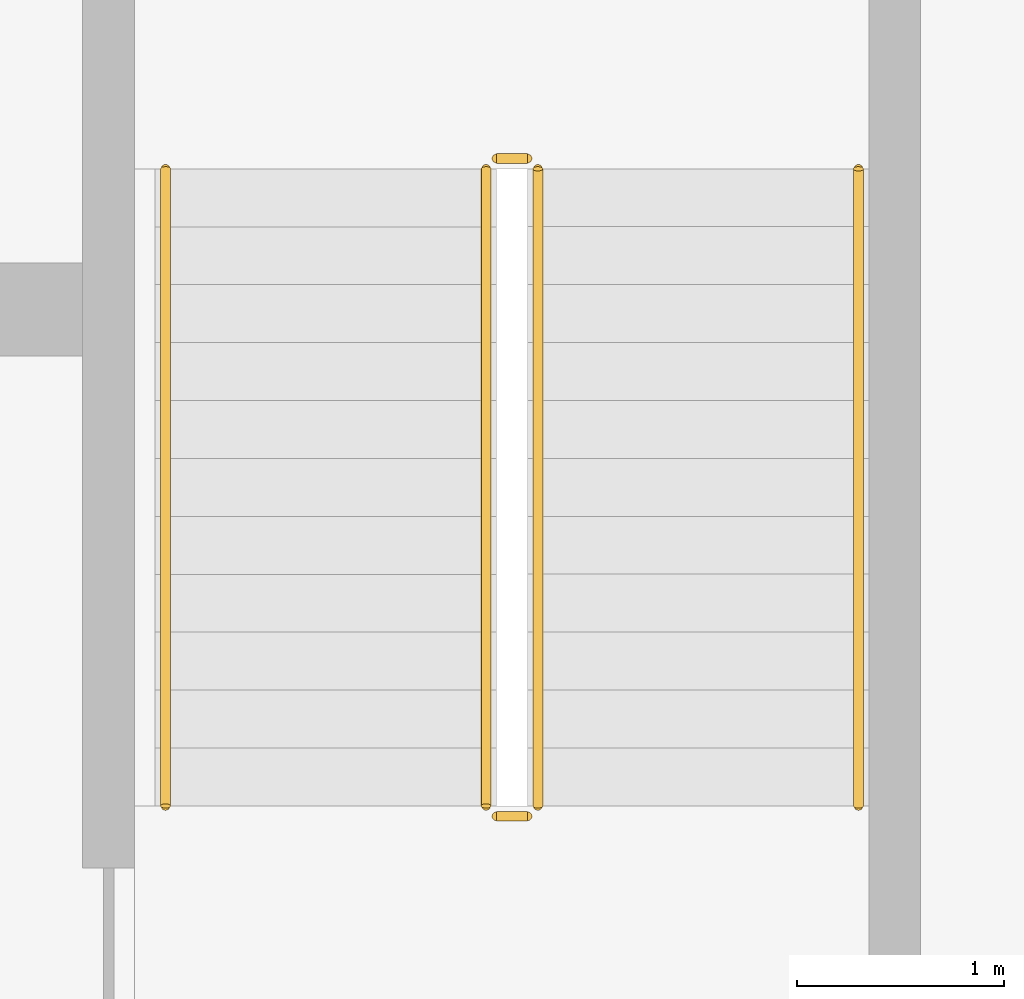
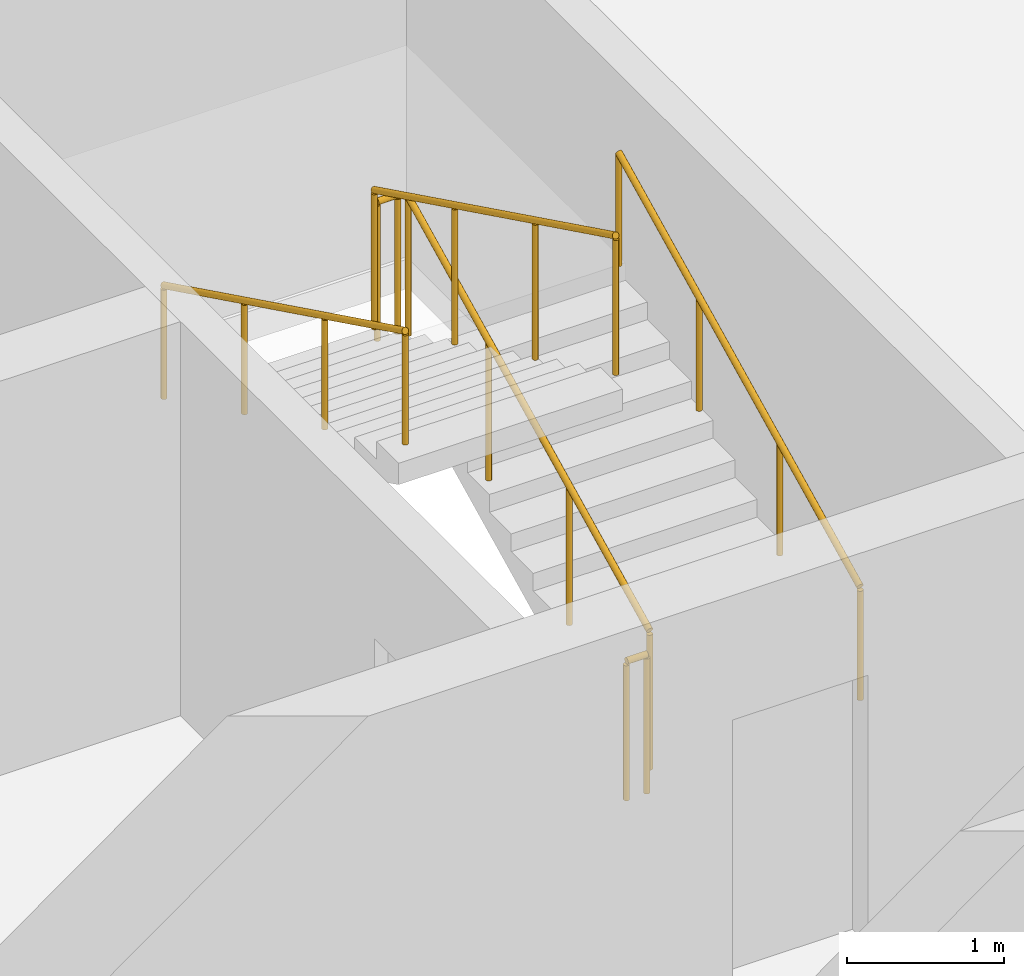
# One storey, part 16 of 32: 6 railings.
"""IFC4 building model written with IfcOpenShell, lengths in metres."""

from ifc_helpers import new_model, si_unit, direction, frame, origin, origin_2d, place, context, subcontext, project, spatial, circle, extrude, material, type_object, element, save


model = new_model("IFC4")

# Units and contexts
model_context = context("Model", 3, precision=1e-05, world=origin(), true_north=direction((0.0, 1.0)))
body_context = subcontext(model_context, "Body", "Model", "MODEL_VIEW")
ifc_project = project(units=[si_unit("LENGTHUNIT", "METRE"), si_unit("AREAUNIT", "SQUARE_METRE"), si_unit("VOLUMEUNIT", "CUBIC_METRE"), si_unit("PLANEANGLEUNIT", "RADIAN"), si_unit("MASSUNIT", "GRAM", prefix="KILO")], contexts=[model_context])

# Site, building, storey
site_placement = place(None, origin())
site = spatial("IfcSite", under=ifc_project, at=site_placement, CompositionType="ELEMENT")
building_placement = place(site_placement, origin())
building = spatial("IfcBuilding", under=site, at=building_placement, Name="Poui Terraces", CompositionType="ELEMENT")
storey_placement = place(building_placement, frame((0.0, 0.0, 129.0)))
storey = spatial("IfcBuildingStorey", under=building, at=storey_placement, Name="L35", CompositionType="ELEMENT", Elevation=129.0)

# Railings
ifc_material_1 = material(Name="Galvanised steel balustrade", Category="steel")
railing_type_1 = type_object("IfcRailingType", Name="STAIR GUARD 1100", PredefinedType="GUARDRAIL", material=ifc_material_1)
railing_1_placement = place(storey_placement, frame((70.27490234375, 16.60009765625, 0.137451171875)))
element("IfcRailing", 1, at=railing_1_placement, inside=storey, type_object=railing_type_1, Name="L35 ST-CE stair guard 1", PredefinedType="GUARDRAIL", context=body_context, shape_type="SweptSolid", body=[
    extrude(circle(Radius=0.02392578125, at=origin_2d()), frame((0.0, 0.0, 1.076171875), z_axis=(0.0, 0.897606190399, 0.440798283751), x_axis=(-1.0, 0.0, 0.0)), (0.0, 0.0, 1.0), 3.43115234375),
    extrude(circle(Radius=0.02099609375, at=origin_2d()), origin(), (0.0, 0.0, 1.0), 1.052001953125),
    extrude(circle(Radius=0.02099609375, at=origin_2d()), frame((0.0, 1.026611328125, 0.504150390625)), (0.0, 0.0, 1.0), 1.052001953125),
    extrude(circle(Radius=0.02099609375, at=origin_2d()), frame((0.0, 2.05322265625, 1.00830078125)), (0.0, 0.0, 1.0), 1.052001953125),
    extrude(circle(Radius=0.02099609375, at=origin_2d()), frame((0.0, 3.079833984375, 1.512451171875)), (0.0, 0.0, 1.0), 1.052001953125),
])
railing_2_placement = place(storey_placement, frame((70.22509765625, 19.72998046875, 1.64990234375)))
element("IfcRailing", 2, at=railing_2_placement, inside=storey, type_object=railing_type_1, Name="L35 ST-CE stair guard 2", PredefinedType="GUARDRAIL", context=body_context, shape_type="SweptSolid", body=[
    extrude(circle(Radius=0.02392578125, at=origin_2d()), frame((0.0, 0.0, 1.076171875), z_axis=(-1.0, 0.0, 0.0), x_axis=(0.0, -1.0, 0.0)), (0.0, 0.0, 1.0), 0.150146484375),
    extrude(circle(Radius=0.02099609375, at=origin_2d()), origin(), (0.0, 0.0, 1.0), 1.052001953125),
    extrude(circle(Radius=0.02099609375, at=origin_2d()), frame((-0.150146484375, 0.0, 0.0)), (0.0, 0.0, 1.0), 1.052001953125),
])
railing_3_placement = place(storey_placement, frame((70.02490234375, 19.679931640625, 1.78759765625)))
element("IfcRailing", 3, at=railing_3_placement, inside=storey, type_object=railing_type_1, Name="L35 ST-CE stair guard 3", PredefinedType="GUARDRAIL", context=body_context, shape_type="SweptSolid", body=[
    extrude(circle(Radius=0.02392578125, at=origin_2d()), frame((0.0, 0.0, 1.076171875), z_axis=(0.0, -0.897606190399, 0.440798283751), x_axis=(1.0, 0.0, 0.0)), (0.0, 0.0, 1.0), 3.43115234375),
    extrude(circle(Radius=0.02099609375, at=origin_2d()), origin(), (0.0, 0.0, 1.0), 1.052001953125),
    extrude(circle(Radius=0.02099609375, at=origin_2d()), frame((0.0, -1.026611328125, 0.504150390625)), (0.0, 0.0, 1.0), 1.052001953125),
    extrude(circle(Radius=0.02099609375, at=origin_2d()), frame((0.0, -2.05322265625, 1.00830078125)), (0.0, 0.0, 1.0), 1.052001953125),
    extrude(circle(Radius=0.02099609375, at=origin_2d()), frame((0.0, -3.079833984375, 1.512451171875)), (0.0, 0.0, 1.0), 1.052001953125),
])
railing_4_placement = place(storey_placement, frame((70.22509765625, 16.550048828125, 0.0)))
element("IfcRailing", 4, at=railing_4_placement, inside=storey, type_object=railing_type_1, Name="L35 ST-CE stair guard 4", PredefinedType="GUARDRAIL", context=body_context, shape_type="SweptSolid", body=[
    extrude(circle(Radius=0.02392578125, at=origin_2d()), frame((0.0, 0.0, 1.076171875), z_axis=(-1.0, 0.0, 0.0), x_axis=(0.0, -1.0, 0.0)), (0.0, 0.0, 1.0), 0.150146484375),
    extrude(circle(Radius=0.02099609375, at=origin_2d()), origin(), (0.0, 0.0, 1.0), 1.052001953125),
    extrude(circle(Radius=0.02099609375, at=origin_2d()), frame((-0.150146484375, 0.0, 0.0)), (0.0, 0.0, 1.0), 1.052001953125),
])
ifc_material_2 = material(Name="Stainless steel handrail", Category="steel")
railing_type_2 = type_object("IfcRailingType", Name="STAIR HANDRAIL 900", PredefinedType="HANDRAIL", material=ifc_material_2)
railing_5_placement = place(storey_placement, frame((71.824951171875, 16.60009765625, 0.137451171875)))
element("IfcRailing", 5, at=railing_5_placement, inside=storey, type_object=railing_type_2, Name="L35 ST-CE stair handrail 1", PredefinedType="HANDRAIL", context=body_context, shape_type="SweptSolid", body=[
    extrude(circle(Radius=0.02392578125, at=origin_2d()), frame((0.0, 0.0, 0.8759765625), z_axis=(0.0, 0.897606190399, 0.440798283751), x_axis=(-1.0, 0.0, 0.0)), (0.0, 0.0, 1.0), 3.43115234375),
    extrude(circle(Radius=0.02099609375, at=origin_2d()), origin(), (0.0, 0.0, 1.0), 0.851806640625),
    extrude(circle(Radius=0.02099609375, at=origin_2d()), frame((0.0, 1.026611328125, 0.504150390625)), (0.0, 0.0, 1.0), 0.851806640625),
    extrude(circle(Radius=0.02099609375, at=origin_2d()), frame((0.0, 2.05322265625, 1.00830078125)), (0.0, 0.0, 1.0), 0.851806640625),
    extrude(circle(Radius=0.02099609375, at=origin_2d()), frame((0.0, 3.079833984375, 1.512451171875)), (0.0, 0.0, 1.0), 0.851806640625),
])
railing_6_placement = place(storey_placement, frame((68.47509765625, 19.679931640625, 1.78759765625)))
element("IfcRailing", 6, at=railing_6_placement, inside=storey, type_object=railing_type_2, Name="L35 ST-CE stair handrail 2", PredefinedType="HANDRAIL", context=body_context, shape_type="SweptSolid", body=[
    extrude(circle(Radius=0.02392578125, at=origin_2d()), frame((0.0, 0.0, 0.8759765625), z_axis=(0.0, -0.897606190399, 0.440798283751), x_axis=(1.0, 0.0, 0.0)), (0.0, 0.0, 1.0), 3.43115234375),
    extrude(circle(Radius=0.02099609375, at=origin_2d()), origin(), (0.0, 0.0, 1.0), 0.851806640625),
    extrude(circle(Radius=0.02099609375, at=origin_2d()), frame((0.0, -1.026611328125, 0.504150390625)), (0.0, 0.0, 1.0), 0.851806640625),
    extrude(circle(Radius=0.02099609375, at=origin_2d()), frame((0.0, -2.05322265625, 1.00830078125)), (0.0, 0.0, 1.0), 0.851806640625),
    extrude(circle(Radius=0.02099609375, at=origin_2d()), frame((0.0, -3.079833984375, 1.512451171875)), (0.0, 0.0, 1.0), 0.851806640625),
])

save(model, "model.ifc")
